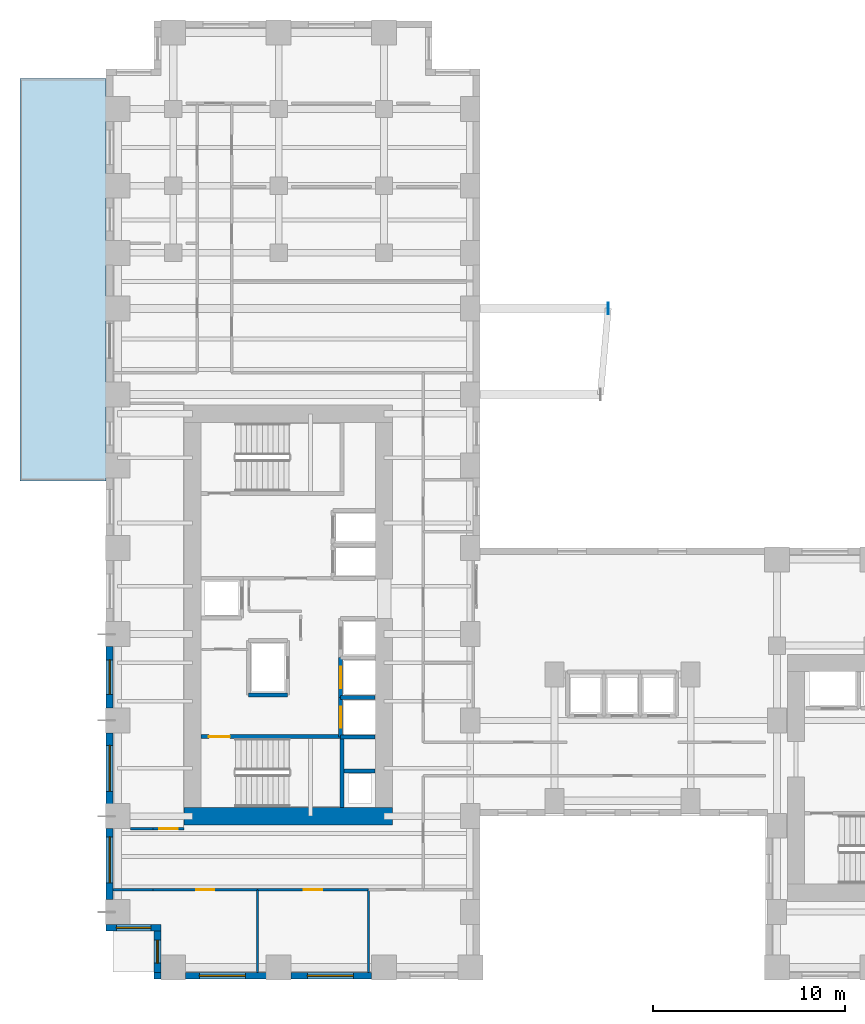
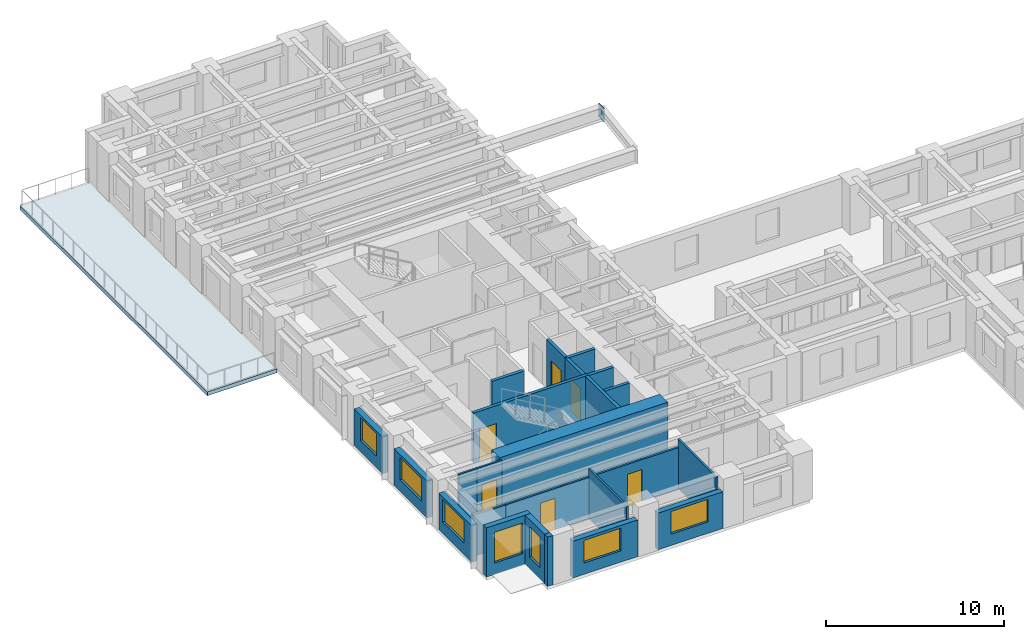
# One storey, part 6 of 15: 24 walls, 7 windows, 6 doors, 1 plate, 1 slab, 13 openings.
"""IFC4 building model written with IfcOpenShell, lengths in metres."""

from ifc_helpers import new_model, si_unit, direction, frame, frame_2d, origin, origin_2d, place, context, subcontext, project, spatial, polyline, rectangle, outline, extrude, source, transform, mapped, material, layer, layer_set, type_object, element, fill, save


model = new_model("IFC4")

# Units and contexts
model_context = context("Model", 3, precision=1e-05, world=origin(), true_north=direction((0.0, 1.0)))
body_context = subcontext(model_context, "Body", "Model", "MODEL_VIEW")
ifc_project = project(units=[si_unit("LENGTHUNIT", "METRE"), si_unit("AREAUNIT", "SQUARE_METRE"), si_unit("VOLUMEUNIT", "CUBIC_METRE"), si_unit("PLANEANGLEUNIT", "RADIAN"), si_unit("MASSUNIT", "GRAM", prefix="KILO")], contexts=[model_context])

# Site, building, storey
site_placement = place(None, origin())
site = spatial("IfcSite", under=ifc_project, at=site_placement, CompositionType="ELEMENT")
building_placement = place(site_placement, origin())
building = spatial("IfcBuilding", under=site, at=building_placement, Name="Kharzan Plaza Tower", CompositionType="ELEMENT")
storey_placement = place(building_placement, frame((0.0, 0.0, 22.5)))
storey = spatial("IfcBuildingStorey", under=building, at=storey_placement, Name="L05", CompositionType="ELEMENT", Elevation=22.5)

# Slab
ifc_material_1 = material(Name="Concrete C40/50", Category="concrete")
ifc_layer_1 = layer(ifc_material_1, 0.27001953125)
ifc_layer_set_1 = layer_set([ifc_layer_1], Name="Concrete C40/50")
slab_type = type_object("IfcSlabType", Name="SL-TERR-TS-POD", PredefinedType="ROOF", material=ifc_layer_set_1)
slab_placement = place(storey_placement, frame((0.0, 0.0, -0.27001953125)))
element("IfcSlab", 1, at=slab_placement, inside=storey, type_object=slab_type, Name="L05 Podium Roof Garden Terrace", PredefinedType="ROOF", context=body_context, shape_type="SweptSolid", body=[
    extrude(outline(polyline([(-4.5, 26.0), (0.0, 26.0), (0.0, 47.0), (-4.5, 47.0), (-4.5, 26.0)])), origin(), (0.0, 0.0, 1.0), 0.27001953125),
])

# Plate
ifc_material_2 = material(Name="Steel S460", Category="steel")
ifc_layer_2 = layer(ifc_material_2, 0.0419921875)
ifc_layer_set_2 = layer_set([ifc_layer_2], Name="Steel S460")
plate_type = type_object("IfcPlateType", Name="PLT-ZTN1", PredefinedType="USERDEFINED", material=ifc_layer_set_2)
shared_shape_1 = source(origin(), body_context, "Body", "SweptSolid", [
    extrude(rectangle(XDim=0.60009765625, YDim=0.0419921875, at=origin_2d()), origin(), (0.0, 0.0, 1.0), 0.949951171875),
])
plate_placement = place(storey_placement, frame((26.199951171875, 35.0, 2.4365234375), z_axis=(0.0, 0.0, 1.0), x_axis=(0.0, 1.0, 0.0)))
element("IfcPlate", 2, at=plate_placement, inside=storey, type_object=plate_type, Name="L05 Sky-Terrace Cantilever Tip Plate ZTN1", ObjectType="FLANGE_PLATE", PredefinedType="USERDEFINED", context=body_context, shape_type="MappedRepresentation", body=[
    mapped(shared_shape_1, transform((0.0, 0.0, 0.0), x_axis=(1.0, 0.0, 0.0), y_axis=(0.0, 1.0, 0.0), z_axis=(0.0, 0.0, 1.0))),
])

# Wall, opening, window
ifc_layer_3 = layer(ifc_material_1, 0.35009765625)
ifc_layer_set_3 = layer_set([ifc_layer_3], Name="Concrete C40/50")
wall_type_1 = type_object("IfcWallType", Name="WL-EXT-MAS-Z1", PredefinedType="SOLIDWALL", material=ifc_layer_set_3)
wall_1_placement = place(storey_placement, frame((0.175048828125, 17.35205078125, 0.0), z_axis=(0.0, 0.0, 1.0), x_axis=(0.0, -1.0, 0.0)))
wall_1 = element("IfcWall", 3, at=wall_1_placement, inside=storey, type_object=wall_type_1, Name="L05 Masonry-Frame Exterior Wall 17", PredefinedType="SOLIDWALL", context=body_context, shape_type="SweptSolid", body=[
    extrude(rectangle(XDim=3.2041015625, YDim=0.35009765625, at=frame_2d((1.60205078125, 0.0))), origin(), (0.0, 0.0, 1.0), 2.510009765625),
])
opening_1_placement = place(wall_1_placement, frame((0.701904296875, 0.0, 0.780029296875)))
opening_1 = element("IfcOpeningElement", 4, at=opening_1_placement, cuts=wall_1, Name="Opening W1", PredefinedType="OPENING", context=body_context, shape_type="SweptSolid", body=[
    extrude(rectangle(XDim=1.800048828125, YDim=1.550048828125, at=frame_2d((0.89990234375, 0.77490234375))), frame((0.0, 0.18505859375, 0.0), z_axis=(0.0, -1.0, 0.0), x_axis=(1.0, 0.0, 0.0)), (0.0, 0.0, 1.0), 0.3701171875),
])
ifc_material_3 = material(Name="Low-E Double Glazing", Category="glass")
window_type_1 = type_object("IfcWindowType", Name="WN-REC-1800x2100", PartitioningType="SINGLE_PANEL", PredefinedType="WINDOW", material=ifc_material_3)
shared_shape_2 = source(origin(), body_context, "Body", "SweptSolid", [
    extrude(rectangle(XDim=1.800048828125, YDim=1.550048828125, at=frame_2d((0.89990234375, 0.77490234375))), frame((0.0, 0.030029296875, 0.0), z_axis=(0.0, -1.0, 0.0), x_axis=(1.0, 0.0, 0.0)), (0.0, 0.0, 1.0), 0.06005859375),
])
window_1_placement = place(opening_1_placement, origin())
window_1 = element("IfcWindow", 5, at=window_1_placement, inside=storey, type_object=window_type_1, Name="L05 Recessed Solar-Control Window 17-1", OverallHeight=1.550048828125, OverallWidth=1.800048828125, PartitioningType="SINGLE_PANEL", PredefinedType="WINDOW", context=body_context, shape_type="MappedRepresentation", body=[
    mapped(shared_shape_2, transform((0.0, 0.0, 0.0), x_axis=(1.0, 0.0, 0.0), y_axis=(0.0, 1.0, 0.0), z_axis=(0.0, 0.0, 1.0))),
])
fill(opening_1, window_1)

wall_2_placement = place(storey_placement, frame((0.175048828125, 12.85205078125, 0.0), z_axis=(0.0, 0.0, 1.0), x_axis=(0.0, -1.0, 0.0)))
wall_2 = element("IfcWall", 6, at=wall_2_placement, inside=storey, type_object=wall_type_1, Name="L05 Masonry-Frame Exterior Wall 18", PredefinedType="SOLIDWALL", context=body_context, shape_type="SweptSolid", body=[
    extrude(rectangle(XDim=3.7041015625, YDim=0.35009765625, at=frame_2d((1.85205078125, 0.0))), origin(), (0.0, 0.0, 1.0), 2.510009765625),
])
opening_2_placement = place(wall_2_placement, frame((0.652099609375, 0.0, 0.780029296875)))
opening_2 = element("IfcOpeningElement", 7, at=opening_2_placement, cuts=wall_2, Name="Opening W2", PredefinedType="OPENING", context=body_context, shape_type="SweptSolid", body=[
    extrude(rectangle(XDim=2.39990234375, YDim=1.550048828125, at=frame_2d((1.199951171875, 0.77490234375))), frame((0.0, 0.18505859375, 0.0), z_axis=(0.0, -1.0, 0.0), x_axis=(1.0, 0.0, 0.0)), (0.0, 0.0, 1.0), 0.3701171875),
])
window_type_2 = type_object("IfcWindowType", Name="WN-REC-2400x2100", PartitioningType="SINGLE_PANEL", PredefinedType="WINDOW", material=ifc_material_3)
shared_shape_3 = source(origin(), body_context, "Body", "SweptSolid", [
    extrude(rectangle(XDim=2.39990234375, YDim=1.550048828125, at=frame_2d((1.199951171875, 0.77490234375))), frame((0.0, 0.030029296875, 0.0), z_axis=(0.0, -1.0, 0.0), x_axis=(1.0, 0.0, 0.0)), (0.0, 0.0, 1.0), 0.06005859375),
])
window_2_placement = place(opening_2_placement, origin())
window_2 = element("IfcWindow", 8, at=window_2_placement, inside=storey, type_object=window_type_2, Name="L05 Wide Recessed Solar-Control Window 18-1", OverallHeight=1.550048828125, OverallWidth=2.39990234375, PartitioningType="SINGLE_PANEL", PredefinedType="WINDOW", context=body_context, shape_type="MappedRepresentation", body=[
    mapped(shared_shape_3, transform((0.0, 0.0, 0.0), x_axis=(1.0, 0.0, 0.0), y_axis=(0.0, 1.0, 0.0), z_axis=(0.0, 0.0, 1.0))),
])
fill(opening_2, window_2)

wall_3_placement = place(storey_placement, frame((0.175048828125, 7.85205078125, 0.0), z_axis=(0.0, 0.0, 1.0), x_axis=(0.0, -1.0, 0.0)))
wall_3 = element("IfcWall", 9, at=wall_3_placement, inside=storey, type_object=wall_type_1, Name="L05 Masonry-Frame Exterior Wall 19", PredefinedType="SOLIDWALL", context=body_context, shape_type="SweptSolid", body=[
    extrude(rectangle(XDim=3.7041015625, YDim=0.35009765625, at=frame_2d((1.85205078125, 0.0))), origin(), (0.0, 0.0, 1.0), 2.510009765625),
])
opening_3_placement = place(wall_3_placement, frame((0.43603515625, 0.0, 0.780029296875)))
opening_3 = element("IfcOpeningElement", 10, at=opening_3_placement, cuts=wall_3, Name="Opening W2", PredefinedType="OPENING", context=body_context, shape_type="SweptSolid", body=[
    extrude(rectangle(XDim=2.39990234375, YDim=1.550048828125, at=frame_2d((1.199951171875, 0.77490234375))), frame((0.0, 0.18505859375, 0.0), z_axis=(0.0, -1.0, 0.0), x_axis=(1.0, 0.0, 0.0)), (0.0, 0.0, 1.0), 0.3701171875),
])
window_3_placement = place(opening_3_placement, origin())
window_3 = element("IfcWindow", 11, at=window_3_placement, inside=storey, type_object=window_type_2, Name="L05 Wide Recessed Solar-Control Window 19-1", OverallHeight=1.550048828125, OverallWidth=2.39990234375, PartitioningType="SINGLE_PANEL", PredefinedType="WINDOW", context=body_context, shape_type="MappedRepresentation", body=[
    mapped(shared_shape_3, transform((0.0, 0.0, 0.0), x_axis=(1.0, 0.0, 0.0), y_axis=(0.0, 1.0, 0.0), z_axis=(0.0, 0.0, 1.0))),
])
fill(opening_3, window_3)

wall_4_placement = place(storey_placement, frame((0.0, 2.675048828125, 0.0), z_axis=(0.0, 0.0, 1.0), x_axis=(1.0, 0.0, 0.0)))
wall_4 = element("IfcWall", 12, at=wall_4_placement, inside=storey, type_object=wall_type_1, Name="L05 Masonry-Frame Exterior Wall 20", PredefinedType="SOLIDWALL", context=body_context, shape_type="SweptSolid", body=[
    extrude(rectangle(XDim=2.85009765625, YDim=0.35009765625, at=frame_2d((1.425048828125, 0.0))), origin(), (0.0, 0.0, 1.0), 3.364990234375),
])
opening_4_placement = place(wall_4_placement, frame((0.52490234375, 0.0, 0.780029296875)))
opening_4 = element("IfcOpeningElement", 13, at=opening_4_placement, cuts=wall_4, Name="Opening W1", PredefinedType="OPENING", context=body_context, shape_type="SweptSolid", body=[
    extrude(rectangle(XDim=1.800048828125, YDim=2.10009765625, at=frame_2d((0.89990234375, 1.050048828125))), frame((0.0, 0.18505859375, 0.0), z_axis=(0.0, -1.0, 0.0), x_axis=(1.0, 0.0, 0.0)), (0.0, 0.0, 1.0), 0.3701171875),
])
shared_shape_4 = source(origin(), body_context, "Body", "SweptSolid", [
    extrude(rectangle(XDim=1.800048828125, YDim=2.10009765625, at=frame_2d((0.89990234375, 1.050048828125))), frame((0.0, 0.030029296875, 0.0), z_axis=(0.0, -1.0, 0.0), x_axis=(1.0, 0.0, 0.0)), (0.0, 0.0, 1.0), 0.06005859375),
])
window_4_placement = place(opening_4_placement, origin())
window_4 = element("IfcWindow", 14, at=window_4_placement, inside=storey, type_object=window_type_1, Name="L05 Recessed Solar-Control Window 20-1", OverallHeight=2.10009765625, OverallWidth=1.800048828125, PartitioningType="SINGLE_PANEL", PredefinedType="WINDOW", context=body_context, shape_type="MappedRepresentation", body=[
    mapped(shared_shape_4, transform((0.0, 0.0, 0.0), x_axis=(1.0, 0.0, 0.0), y_axis=(0.0, 1.0, 0.0), z_axis=(0.0, 0.0, 1.0))),
])
fill(opening_4, window_4)

wall_5_placement = place(storey_placement, frame((2.675048828125, 2.501953125, 0.0), z_axis=(0.0, 0.0, 1.0), x_axis=(0.0, -1.0, 0.0)))
wall_5 = element("IfcWall", 15, at=wall_5_placement, inside=storey, type_object=wall_type_1, Name="L05 Masonry-Frame Exterior Wall 21", PredefinedType="SOLIDWALL", context=body_context, shape_type="SweptSolid", body=[
    extrude(rectangle(XDim=2.154052734375, YDim=0.35009765625, at=frame_2d((1.0771484375, 0.0))), origin(), (0.0, 0.0, 1.0), 3.364990234375),
])
opening_5_placement = place(wall_5_placement, frame((0.47705078125, 0.0, 0.780029296875)))
opening_5 = element("IfcOpeningElement", 16, at=opening_5_placement, cuts=wall_5, Name="Opening W3", PredefinedType="OPENING", context=body_context, shape_type="SweptSolid", body=[
    extrude(rectangle(XDim=1.199951171875, YDim=2.10009765625, at=frame_2d((0.60009765625, 1.050048828125))), frame((0.0, 0.18505859375, 0.0), z_axis=(0.0, -1.0, 0.0), x_axis=(1.0, 0.0, 0.0)), (0.0, 0.0, 1.0), 0.3701171875),
])
window_type_3 = type_object("IfcWindowType", Name="WN-REC-1200x2100", PartitioningType="SINGLE_PANEL", PredefinedType="WINDOW", material=ifc_material_3)
shared_shape_5 = source(origin(), body_context, "Body", "SweptSolid", [
    extrude(rectangle(XDim=1.199951171875, YDim=2.10009765625, at=frame_2d((0.60009765625, 1.050048828125))), frame((0.0, 0.030029296875, 0.0), z_axis=(0.0, -1.0, 0.0), x_axis=(1.0, 0.0, 0.0)), (0.0, 0.0, 1.0), 0.06005859375),
])
window_5_placement = place(opening_5_placement, origin())
window_5 = element("IfcWindow", 17, at=window_5_placement, inside=storey, type_object=window_type_3, Name="L05 Recessed Solar-Control Window 21-1", OverallHeight=2.10009765625, OverallWidth=1.199951171875, PartitioningType="SINGLE_PANEL", PredefinedType="WINDOW", context=body_context, shape_type="MappedRepresentation", body=[
    mapped(shared_shape_5, transform((0.0, 0.0, 0.0), x_axis=(1.0, 0.0, 0.0), y_axis=(0.0, 1.0, 0.0), z_axis=(0.0, 0.0, 1.0))),
])
fill(opening_5, window_5)

wall_6_placement = place(storey_placement, frame((4.14794921875, 0.175048828125, 0.0), z_axis=(0.0, 0.0, 1.0), x_axis=(1.0, 0.0, 0.0)))
wall_6 = element("IfcWall", 18, at=wall_6_placement, inside=storey, type_object=wall_type_1, Name="L05 Masonry-Frame Exterior Wall 23", PredefinedType="SOLIDWALL", context=body_context, shape_type="SweptSolid", body=[
    extrude(rectangle(XDim=4.2041015625, YDim=0.35009765625, at=frame_2d((2.10205078125, 0.0))), origin(), (0.0, 0.0, 1.0), 2.510009765625),
])
opening_6_placement = place(wall_6_placement, frame((0.708984375, 0.0, 0.780029296875)))
opening_6 = element("IfcOpeningElement", 19, at=opening_6_placement, cuts=wall_6, Name="Opening W2", PredefinedType="OPENING", context=body_context, shape_type="SweptSolid", body=[
    extrude(rectangle(XDim=2.39990234375, YDim=1.550048828125, at=frame_2d((1.199951171875, 0.77490234375))), frame((0.0, 0.18505859375, 0.0), z_axis=(0.0, -1.0, 0.0), x_axis=(1.0, 0.0, 0.0)), (0.0, 0.0, 1.0), 0.3701171875),
])
window_6_placement = place(opening_6_placement, origin())
window_6 = element("IfcWindow", 20, at=window_6_placement, inside=storey, type_object=window_type_2, Name="L05 Wide Recessed Solar-Control Window 23-1", OverallHeight=1.550048828125, OverallWidth=2.39990234375, PartitioningType="SINGLE_PANEL", PredefinedType="WINDOW", context=body_context, shape_type="MappedRepresentation", body=[
    mapped(shared_shape_3, transform((0.0, 0.0, 0.0), x_axis=(1.0, 0.0, 0.0), y_axis=(0.0, 1.0, 0.0), z_axis=(0.0, 0.0, 1.0))),
])
fill(opening_6, window_6)

wall_7_placement = place(storey_placement, frame((9.64794921875, 0.175048828125, 0.0), z_axis=(0.0, 0.0, 1.0), x_axis=(1.0, 0.0, 0.0)))
wall_7 = element("IfcWall", 21, at=wall_7_placement, inside=storey, type_object=wall_type_1, Name="L05 Masonry-Frame Exterior Wall 24", PredefinedType="SOLIDWALL", context=body_context, shape_type="SweptSolid", body=[
    extrude(rectangle(XDim=4.2041015625, YDim=0.35009765625, at=frame_2d((2.10205078125, 0.0))), origin(), (0.0, 0.0, 1.0), 2.510009765625),
])
opening_7_placement = place(wall_7_placement, frame((0.85498046875, 0.0, 0.780029296875)))
opening_7 = element("IfcOpeningElement", 22, at=opening_7_placement, cuts=wall_7, Name="Opening W2", PredefinedType="OPENING", context=body_context, shape_type="SweptSolid", body=[
    extrude(rectangle(XDim=2.39990234375, YDim=1.550048828125, at=frame_2d((1.199951171875, 0.77490234375))), frame((0.0, 0.18505859375, 0.0), z_axis=(0.0, -1.0, 0.0), x_axis=(1.0, 0.0, 0.0)), (0.0, 0.0, 1.0), 0.3701171875),
])
window_7_placement = place(opening_7_placement, origin())
window_7 = element("IfcWindow", 23, at=window_7_placement, inside=storey, type_object=window_type_2, Name="L05 Wide Recessed Solar-Control Window 24-1", OverallHeight=1.550048828125, OverallWidth=2.39990234375, PartitioningType="SINGLE_PANEL", PredefinedType="WINDOW", context=body_context, shape_type="MappedRepresentation", body=[
    mapped(shared_shape_3, transform((0.0, 0.0, 0.0), x_axis=(1.0, 0.0, 0.0), y_axis=(0.0, 1.0, 0.0), z_axis=(0.0, 0.0, 1.0))),
])
fill(opening_7, window_7)

# Wall, opening, door
ifc_material_4 = material(Name="Fire-Rated Gypsum Board Partition", Category="gypsum")
ifc_layer_4 = layer(ifc_material_4, 0.125)
ifc_layer_set_4 = layer_set([ifc_layer_4], Name="Fire-Rated Gypsum Board Partition")
wall_type_2 = type_object("IfcWallType", Name="WL-INT-PART-125", PredefinedType="PARTITIONING", material=ifc_layer_set_4)
wall_8_placement = place(storey_placement, frame((2.449951171875, 7.85009765625, 0.0), z_axis=(0.0, 0.0, 1.0), x_axis=(1.0, 0.0, 0.0)))
wall_8 = element("IfcWall", 24, at=wall_8_placement, inside=storey, type_object=wall_type_2, Name="L05 Interior Partition SH-RWSD", PredefinedType="PARTITIONING", context=body_context, shape_type="SweptSolid", body=[
    extrude(rectangle(XDim=1.60009765625, YDim=0.125, at=frame_2d((0.800048828125, 0.0))), origin(), (0.0, 0.0, 1.0), 3.364990234375),
])
opening_8_placement = place(wall_8_placement, frame((0.324951171875, 0.0, 0.0)))
opening_8 = element("IfcOpeningElement", 25, at=opening_8_placement, cuts=wall_8, Name="Opening OD1", PredefinedType="OPENING", context=body_context, shape_type="SweptSolid", body=[
    extrude(rectangle(XDim=0.949951171875, YDim=2.14990234375, at=frame_2d((0.47509765625, 1.074951171875))), frame((0.0, 0.072509765625, 0.0), z_axis=(0.0, -1.0, 0.0), x_axis=(1.0, 0.0, 0.0)), (0.0, 0.0, 1.0), 0.14501953125),
])
ifc_material_5 = material(Name="Acoustic Solid-Core Stained Oak", Category="timber")
door_type_1 = type_object("IfcDoorType", Name="DR-OFF-SINGLE", OperationType="NOTDEFINED", PredefinedType="DOOR", material=ifc_material_5)
shared_shape_6 = source(origin(), body_context, "Body", "SweptSolid", [
    extrude(rectangle(XDim=0.949951171875, YDim=2.14990234375, at=frame_2d((0.47509765625, 1.074951171875))), frame((0.0, 0.02490234375, 0.0), z_axis=(0.0, -1.0, 0.0), x_axis=(1.0, 0.0, 0.0)), (0.0, 0.0, 1.0), 0.050048828125),
])
door_1_placement = place(opening_8_placement, origin())
door_1 = element("IfcDoor", 26, at=door_1_placement, inside=storey, type_object=door_type_1, Name="L05 West Studio South Door", OperationType="SINGLE_SWING_RIGHT", OverallHeight=2.14990234375, OverallWidth=0.949951171875, PredefinedType="DOOR", context=body_context, shape_type="MappedRepresentation", body=[
    mapped(shared_shape_6, transform((0.0, 0.0, 0.0), x_axis=(1.0, 0.0, 0.0), y_axis=(0.0, 1.0, 0.0), z_axis=(0.0, 0.0, 1.0))),
])
fill(opening_8, door_1)

wall_9_placement = place(storey_placement, frame((2.449951171875, 4.64990234375, 0.0), z_axis=(0.0, 0.0, 1.0), x_axis=(1.0, 0.0, 0.0)))
wall_9 = element("IfcWall", 27, at=wall_9_placement, inside=storey, type_object=wall_type_2, Name="L05 Interior Partition SH-SS-1", PredefinedType="PARTITIONING", context=body_context, shape_type="SweptSolid", body=[
    extrude(rectangle(XDim=5.446044921875, YDim=0.125, at=frame_2d((2.72314453125, 0.0))), origin(), (0.0, 0.0, 1.0), 2.827880859375),
])
opening_9_placement = place(wall_9_placement, frame((2.248046875, 0.0, 0.0)))
opening_9 = element("IfcOpeningElement", 28, at=opening_9_placement, cuts=wall_9, Name="Opening OD1", PredefinedType="OPENING", context=body_context, shape_type="SweptSolid", body=[
    extrude(rectangle(XDim=0.949951171875, YDim=2.14990234375, at=frame_2d((0.47509765625, 1.074951171875))), frame((0.0, 0.072509765625, 0.0), z_axis=(0.0, -1.0, 0.0), x_axis=(1.0, 0.0, 0.0)), (0.0, 0.0, 1.0), 0.14501953125),
])
door_2_placement = place(opening_9_placement, origin())
door_2 = element("IfcDoor", 29, at=door_2_placement, inside=storey, type_object=door_type_1, Name="L05 Departmental Office Door", OperationType="SINGLE_SWING_LEFT", OverallHeight=2.14990234375, OverallWidth=0.949951171875, PredefinedType="DOOR", context=body_context, shape_type="MappedRepresentation", body=[
    mapped(shared_shape_6, transform((0.0, 0.0, 0.0), x_axis=(1.0, 0.0, 0.0), y_axis=(0.0, 1.0, 0.0), z_axis=(0.0, 0.0, 1.0))),
])
fill(opening_9, door_2)

wall_10_placement = place(storey_placement, frame((7.89599609375, 4.64990234375, 0.0), z_axis=(0.0, 0.0, 1.0), x_axis=(1.0, 0.0, 0.0)))
wall_10 = element("IfcWall", 30, at=wall_10_placement, inside=storey, type_object=wall_type_2, Name="L05 Interior Partition SH-SS-2", PredefinedType="PARTITIONING", context=body_context, shape_type="SweptSolid", body=[
    extrude(rectangle(XDim=5.7919921875, YDim=0.125, at=frame_2d((2.89599609375, 0.0))), origin(), (0.0, 0.0, 1.0), 2.827880859375),
])
opening_10_placement = place(wall_10_placement, frame((2.4208984375, 0.0, 0.0)))
opening_10 = element("IfcOpeningElement", 31, at=opening_10_placement, cuts=wall_10, Name="Opening OD1", PredefinedType="OPENING", context=body_context, shape_type="SweptSolid", body=[
    extrude(rectangle(XDim=0.949951171875, YDim=2.14990234375, at=frame_2d((0.47509765625, 1.074951171875))), frame((0.0, 0.072509765625, 0.0), z_axis=(0.0, -1.0, 0.0), x_axis=(1.0, 0.0, 0.0)), (0.0, 0.0, 1.0), 0.14501953125),
])
door_3_placement = place(opening_10_placement, origin())
door_3 = element("IfcDoor", 32, at=door_3_placement, inside=storey, type_object=door_type_1, Name="L05 Conference Room Door", OperationType="SINGLE_SWING_RIGHT", OverallHeight=2.14990234375, OverallWidth=0.949951171875, PredefinedType="DOOR", context=body_context, shape_type="MappedRepresentation", body=[
    mapped(shared_shape_6, transform((0.0, 0.0, 0.0), x_axis=(1.0, 0.0, 0.0), y_axis=(0.0, 1.0, 0.0), z_axis=(0.0, 0.0, 1.0))),
])
fill(opening_10, door_3)

ifc_layer_5 = layer(ifc_material_1, 0.199951171875)
ifc_layer_set_5 = layer_set([ifc_layer_5], Name="Concrete C40/50")
wall_type_3 = type_object("IfcWallType", Name="WL-INT-SHAFT-200", PredefinedType="PARTITIONING", material=ifc_layer_set_5)
wall_11_placement = place(storey_placement, frame((12.22998046875, 12.6298828125, 0.0), z_axis=(0.0, 0.0, 1.0), x_axis=(0.0, 1.0, 0.0)))
wall_11 = element("IfcWall", 33, at=wall_11_placement, inside=storey, type_object=wall_type_3, Name="L05 Interior Partition SHF-PL-H1-W", PredefinedType="PARTITIONING", context=body_context, shape_type="SweptSolid", body=[
    extrude(rectangle(XDim=2.070068359375, YDim=0.199951171875, at=frame_2d((1.03515625, 0.0))), origin(), (0.0, 0.0, 1.0), 3.364990234375),
])
opening_11_placement = place(wall_11_placement, frame((0.485107421875, 0.0, 0.0)))
opening_11 = element("IfcOpeningElement", 34, at=opening_11_placement, cuts=wall_11, Name="Opening LD", PredefinedType="OPENING", context=body_context, shape_type="SweptSolid", body=[
    extrude(rectangle(XDim=1.10009765625, YDim=2.199951171875, at=frame_2d((0.550048828125, 1.10009765625))), frame((0.0, 0.10986328125, 0.0), z_axis=(0.0, -1.0, 0.0), x_axis=(1.0, 0.0, 0.0)), (0.0, 0.0, 1.0), 0.219970703125),
])
ifc_material_6 = material(Name="Brushed Stainless Steel", Category="steel")
door_type_2 = type_object("IfcDoorType", Name="DR-LIFT-SLIDE", OperationType="SLIDING_TO_LEFT", PredefinedType="DOOR", material=ifc_material_6)
shared_shape_7 = source(origin(), body_context, "Body", "SweptSolid", [
    extrude(rectangle(XDim=1.10009765625, YDim=2.199951171875, at=frame_2d((0.550048828125, 1.10009765625))), frame((0.0, 0.02490234375, 0.0), z_axis=(0.0, -1.0, 0.0), x_axis=(1.0, 0.0, 0.0)), (0.0, 0.0, 1.0), 0.050048828125),
])
door_4_placement = place(opening_11_placement, origin())
door_4 = element("IfcDoor", 35, at=door_4_placement, inside=storey, type_object=door_type_2, Name="L05 High-Rise Passenger Lift PL-H1 Sliding Landing Door", OperationType="SLIDING_TO_LEFT", OverallHeight=2.199951171875, OverallWidth=1.10009765625, PredefinedType="DOOR", context=body_context, shape_type="MappedRepresentation", body=[
    mapped(shared_shape_7, transform((0.0, 0.0, 0.0), x_axis=(1.0, 0.0, 0.0), y_axis=(0.0, 1.0, 0.0), z_axis=(0.0, 0.0, 1.0))),
])
fill(opening_11, door_4)

wall_12_placement = place(storey_placement, frame((12.22998046875, 14.699951171875, 0.0), z_axis=(0.0, 0.0, 1.0), x_axis=(0.0, 1.0, 0.0)))
wall_12 = element("IfcWall", 36, at=wall_12_placement, inside=storey, type_object=wall_type_3, Name="L05 Interior Partition SHF-PL-H2-W", PredefinedType="PARTITIONING", context=body_context, shape_type="SweptSolid", body=[
    extrude(rectangle(XDim=2.070068359375, YDim=0.199951171875, at=frame_2d((1.03515625, 0.0))), origin(), (0.0, 0.0, 1.0), 3.364990234375),
])
opening_12_placement = place(wall_12_placement, frame((0.485107421875, 0.0, 0.0)))
opening_12 = element("IfcOpeningElement", 37, at=opening_12_placement, cuts=wall_12, Name="Opening LD", PredefinedType="OPENING", context=body_context, shape_type="SweptSolid", body=[
    extrude(rectangle(XDim=1.10009765625, YDim=2.199951171875, at=frame_2d((0.550048828125, 1.10009765625))), frame((0.0, 0.10986328125, 0.0), z_axis=(0.0, -1.0, 0.0), x_axis=(1.0, 0.0, 0.0)), (0.0, 0.0, 1.0), 0.219970703125),
])
door_5_placement = place(opening_12_placement, origin())
door_5 = element("IfcDoor", 38, at=door_5_placement, inside=storey, type_object=door_type_2, Name="L05 High-Rise Passenger Lift PL-H2 Sliding Landing Door", OperationType="SLIDING_TO_LEFT", OverallHeight=2.199951171875, OverallWidth=1.10009765625, PredefinedType="DOOR", context=body_context, shape_type="MappedRepresentation", body=[
    mapped(shared_shape_7, transform((0.0, 0.0, 0.0), x_axis=(1.0, 0.0, 0.0), y_axis=(0.0, 1.0, 0.0), z_axis=(0.0, 0.0, 1.0))),
])
fill(opening_12, door_5)

ifc_material_7 = material(Name="Concrete C50/60", Category="concrete")
ifc_layer_6 = layer(ifc_material_7, 0.199951171875)
ifc_layer_set_6 = layer_set([ifc_layer_6], Name="Concrete C50/60")
wall_type_4 = type_object("IfcWallType", Name="WL-SHAFT-RC200", PredefinedType="SHEAR", material=ifc_layer_set_6)
wall_13_placement = place(storey_placement, frame((4.951904296875, 12.655029296875, 0.0), z_axis=(0.0, 0.0, 1.0), x_axis=(1.0, 0.0, 0.0)))
wall_13 = element("IfcWall", 39, at=wall_13_placement, inside=storey, type_object=wall_type_4, Name="L05 Stair ST-1 North RC Shaft Wall", PredefinedType="SHEAR", context=body_context, shape_type="SweptSolid", body=[
    extrude(rectangle(XDim=7.453125, YDim=0.199951171875, at=frame_2d((3.7265625, 0.0))), origin(), (0.0, 0.0, 1.0), 3.3798828125),
])
opening_13_placement = place(wall_13_placement, frame((0.39990234375, 0.0, 0.0)))
opening_13 = element("IfcOpeningElement", 40, at=opening_13_placement, cuts=wall_13, Name="Opening SD1", PredefinedType="OPENING", context=body_context, shape_type="SweptSolid", body=[
    extrude(rectangle(XDim=1.10009765625, YDim=2.14990234375, at=frame_2d((0.550048828125, 1.074951171875))), frame((0.0, 0.10986328125, 0.0), z_axis=(0.0, -1.0, 0.0), x_axis=(1.0, 0.0, 0.0)), (0.0, 0.0, 1.0), 0.219970703125),
])
ifc_material_8 = material(Name="Fire-Rated Hollow Galvanized Steel", Category="steel")
door_type_3 = type_object("IfcDoorType", Name="DR-STAIR-FD120", OperationType="NOTDEFINED", PredefinedType="DOOR", material=ifc_material_8)
shared_shape_8 = source(origin(), body_context, "Body", "SweptSolid", [
    extrude(rectangle(XDim=1.10009765625, YDim=2.14990234375, at=frame_2d((0.550048828125, 1.074951171875))), frame((0.0, 0.02490234375, 0.0), z_axis=(0.0, -1.0, 0.0), x_axis=(1.0, 0.0, 0.0)), (0.0, 0.0, 1.0), 0.050048828125),
])
door_6_placement = place(opening_13_placement, origin())
door_6 = element("IfcDoor", 41, at=door_6_placement, inside=storey, type_object=door_type_3, Name="L05 Stair ST-1 Fire Exit Door", OperationType="SINGLE_SWING_LEFT", OverallHeight=2.14990234375, OverallWidth=1.10009765625, PredefinedType="DOOR", context=body_context, shape_type="MappedRepresentation", body=[
    mapped(shared_shape_8, transform((0.0, 0.0, 0.0), x_axis=(1.0, 0.0, 0.0), y_axis=(0.0, 1.0, 0.0), z_axis=(0.0, 0.0, 1.0))),
])
fill(opening_13, door_6)

# Walls
ifc_material_9 = material(Name="Concrete C60/75", Category="concrete")
ifc_layer_7 = layer(ifc_material_9, 0.89990234375)
ifc_layer_set_7 = layer_set([ifc_layer_7], Name="Concrete C60/75")
wall_type_5 = type_object("IfcWallType", Name="WL-CORE-900", PredefinedType="SHEAR", material=ifc_layer_set_7)
shared_shape_9 = source(origin(), body_context, "Body", "SweptSolid", [
    extrude(rectangle(XDim=10.89990234375, YDim=0.89990234375, at=frame_2d((5.449951171875, 0.0))), origin(), (0.0, 0.0, 1.0), 3.3798828125),
])
wall_14_placement = place(storey_placement, frame((4.050048828125, 8.5, 0.0), z_axis=(0.0, 0.0, 1.0), x_axis=(1.0, 0.0, 0.0)))
element("IfcWall", 42, at=wall_14_placement, inside=storey, type_object=wall_type_5, Name="L05 CORE-A south RC shear wall", PredefinedType="SHEAR", context=body_context, shape_type="MappedRepresentation", body=[
    mapped(shared_shape_9, transform((0.0, 0.0, 0.0), x_axis=(1.0, 0.0, 0.0), y_axis=(0.0, 1.0, 0.0), z_axis=(0.0, 0.0, 1.0))),
])
shared_shape_10 = source(origin(), body_context, "Body", "SweptSolid", [
    extrude(rectangle(XDim=0.35205078125, YDim=0.35009765625, at=frame_2d((0.176025390625, 0.0))), origin(), (0.0, 0.0, 1.0), 3.364990234375),
])
wall_15_placement = place(storey_placement, frame((2.5, 0.175048828125, 0.0), z_axis=(0.0, 0.0, 1.0), x_axis=(1.0, 0.0, 0.0)))
element("IfcWall", 43, at=wall_15_placement, inside=storey, type_object=wall_type_1, Name="L05 Masonry-Frame Exterior Wall 22", PredefinedType="SOLIDWALL", context=body_context, shape_type="MappedRepresentation", body=[
    mapped(shared_shape_10, transform((0.0, 0.0, 0.0), x_axis=(1.0, 0.0, 0.0), y_axis=(0.0, 1.0, 0.0), z_axis=(0.0, 0.0, 1.0))),
])
shared_shape_11 = source(origin(), body_context, "Body", "SweptSolid", [
    extrude(rectangle(XDim=1.18994140625, YDim=0.125, at=frame_2d((0.594970703125, 0.0))), origin(), (0.0, 0.0, 1.0), 3.364990234375),
])
wall_16_placement = place(storey_placement, frame((1.260009765625, 7.85009765625, 0.0), z_axis=(0.0, 0.0, 1.0), x_axis=(1.0, 0.0, 0.0)))
element("IfcWall", 44, at=wall_16_placement, inside=storey, type_object=wall_type_2, Name="L05 Interior Partition SH-RWS0", PredefinedType="PARTITIONING", context=body_context, shape_type="MappedRepresentation", body=[
    mapped(shared_shape_11, transform((0.0, 0.0, 0.0), x_axis=(1.0, 0.0, 0.0), y_axis=(0.0, 1.0, 0.0), z_axis=(0.0, 0.0, 1.0))),
])
shared_shape_12 = source(origin(), body_context, "Body", "SweptSolid", [
    extrude(rectangle(XDim=2.097900390625, YDim=0.125, at=frame_2d((1.048828125, 0.0))), origin(), (0.0, 0.0, 1.0), 2.827880859375),
])
wall_17_placement = place(storey_placement, frame((0.35205078125, 4.64990234375, 0.0), z_axis=(0.0, 0.0, 1.0), x_axis=(1.0, 0.0, 0.0)))
element("IfcWall", 45, at=wall_17_placement, inside=storey, type_object=wall_type_2, Name="L05 Interior Partition SH-SS-EXT", PredefinedType="PARTITIONING", context=body_context, shape_type="MappedRepresentation", body=[
    mapped(shared_shape_12, transform((0.0, 0.0, 0.0), x_axis=(1.0, 0.0, 0.0), y_axis=(0.0, 1.0, 0.0), z_axis=(0.0, 0.0, 1.0))),
])
shared_shape_13 = source(origin(), body_context, "Body", "SweptSolid", [
    extrude(rectangle(XDim=4.2978515625, YDim=0.125, at=frame_2d((2.14892578125, 0.0))), origin(), (0.0, 0.0, 1.0), 3.364990234375),
])
for number, where, z_axis, x_axis, name in (
    (46, (7.89599609375, 0.35205078125, 0.0), (0.0, 0.0, 1.0), (0.0, 1.0, 0.0), "L05 Interior Partition SH-SV-1"),
    (47, (13.68798828125, 0.35205078125, 0.0), (0.0, 0.0, 1.0), (0.0, 1.0, 0.0), "L05 Interior Partition SH-SV-2"),
):
    element("IfcWall", number, at=place(storey_placement, frame(where, z_axis=z_axis, x_axis=x_axis)), inside=storey, type_object=wall_type_2, Name=name, PredefinedType="PARTITIONING", context=body_context, shape_type="MappedRepresentation", body=[
        mapped(shared_shape_13, transform((0.0, 0.0, 0.0), x_axis=(1.0, 0.0, 0.0), y_axis=(0.0, 1.0, 0.0), z_axis=(0.0, 0.0, 1.0))),
    ])
shared_shape_14 = source(origin(), body_context, "Body", "SweptSolid", [
    extrude(rectangle(XDim=1.60009765625, YDim=0.199951171875, at=frame_2d((0.800048828125, 0.0))), origin(), (0.0, 0.0, 1.0), 3.364990234375),
])
wall_18_placement = place(storey_placement, frame((12.419921875, 10.85009765625, 0.0), z_axis=(0.0, 0.0, 1.0), x_axis=(1.0, 0.0, 0.0)))
element("IfcWall", 48, at=wall_18_placement, inside=storey, type_object=wall_type_3, Name="L05 Interior Partition CA-RSRA-N", PredefinedType="PARTITIONING", context=body_context, shape_type="MappedRepresentation", body=[
    mapped(shared_shape_14, transform((0.0, 0.0, 0.0), x_axis=(1.0, 0.0, 0.0), y_axis=(0.0, 1.0, 0.0), z_axis=(0.0, 0.0, 1.0))),
])
shared_shape_15 = source(origin(), body_context, "Body", "SweptSolid", [
    extrude(rectangle(XDim=1.7900390625, YDim=0.199951171875, at=frame_2d((0.89501953125, 0.0))), origin(), (0.0, 0.0, 1.0), 3.364990234375),
])
for number, where, z_axis, x_axis, name in (
    (49, (12.22998046875, 14.699951171875, 0.0), (0.0, 0.0, 1.0), (1.0, 0.0, 0.0), "L05 Interior Partition SHF-PL-H1-N"),
    (50, (12.22998046875, 12.6298828125, 0.0), (0.0, 0.0, 1.0), (1.0, 0.0, 0.0), "L05 Interior Partition SHF-PL-H1-S"),
):
    element("IfcWall", number, at=place(storey_placement, frame(where, z_axis=z_axis, x_axis=x_axis)), inside=storey, type_object=wall_type_3, Name=name, PredefinedType="PARTITIONING", context=body_context, shape_type="MappedRepresentation", body=[
        mapped(shared_shape_15, transform((0.0, 0.0, 0.0), x_axis=(1.0, 0.0, 0.0), y_axis=(0.0, 1.0, 0.0), z_axis=(0.0, 0.0, 1.0))),
    ])
shared_shape_16 = source(origin(), body_context, "Body", "SweptSolid", [
    extrude(rectangle(XDim=2.0400390625, YDim=0.199951171875, at=frame_2d((1.02001953125, 0.0))), origin(), (0.0, 0.0, 1.0), 3.364990234375),
])
wall_19_placement = place(storey_placement, frame((7.429931640625, 14.830078125, 0.0), z_axis=(0.0, 0.0, 1.0), x_axis=(1.0, 0.0, 0.0)))
element("IfcWall", 51, at=wall_19_placement, inside=storey, type_object=wall_type_3, Name="L05 Interior Partition SHF-SVL-1-S", PredefinedType="PARTITIONING", context=body_context, shape_type="MappedRepresentation", body=[
    mapped(shared_shape_16, transform((0.0, 0.0, 0.0), x_axis=(1.0, 0.0, 0.0), y_axis=(0.0, 1.0, 0.0), z_axis=(0.0, 0.0, 1.0))),
])
shared_shape_17 = source(origin(), body_context, "Body", "SweptSolid", [
    extrude(rectangle(XDim=3.60302734375, YDim=0.199951171875, at=frame_2d((1.801513671875, 0.0))), origin(), (0.0, 0.0, 1.0), 3.3798828125),
])
wall_20_placement = place(storey_placement, frame((12.304931640625, 8.951904296875, 0.0), z_axis=(0.0, 0.0, 1.0), x_axis=(0.0, 1.0, 0.0)))
element("IfcWall", 52, at=wall_20_placement, inside=storey, type_object=wall_type_4, Name="L05 Stair ST-1 East RC Shaft Wall", PredefinedType="SHEAR", context=body_context, shape_type="MappedRepresentation", body=[
    mapped(shared_shape_17, transform((0.0, 0.0, 0.0), x_axis=(1.0, 0.0, 0.0), y_axis=(0.0, 1.0, 0.0), z_axis=(0.0, 0.0, 1.0))),
])

save(model, "model.ifc")
